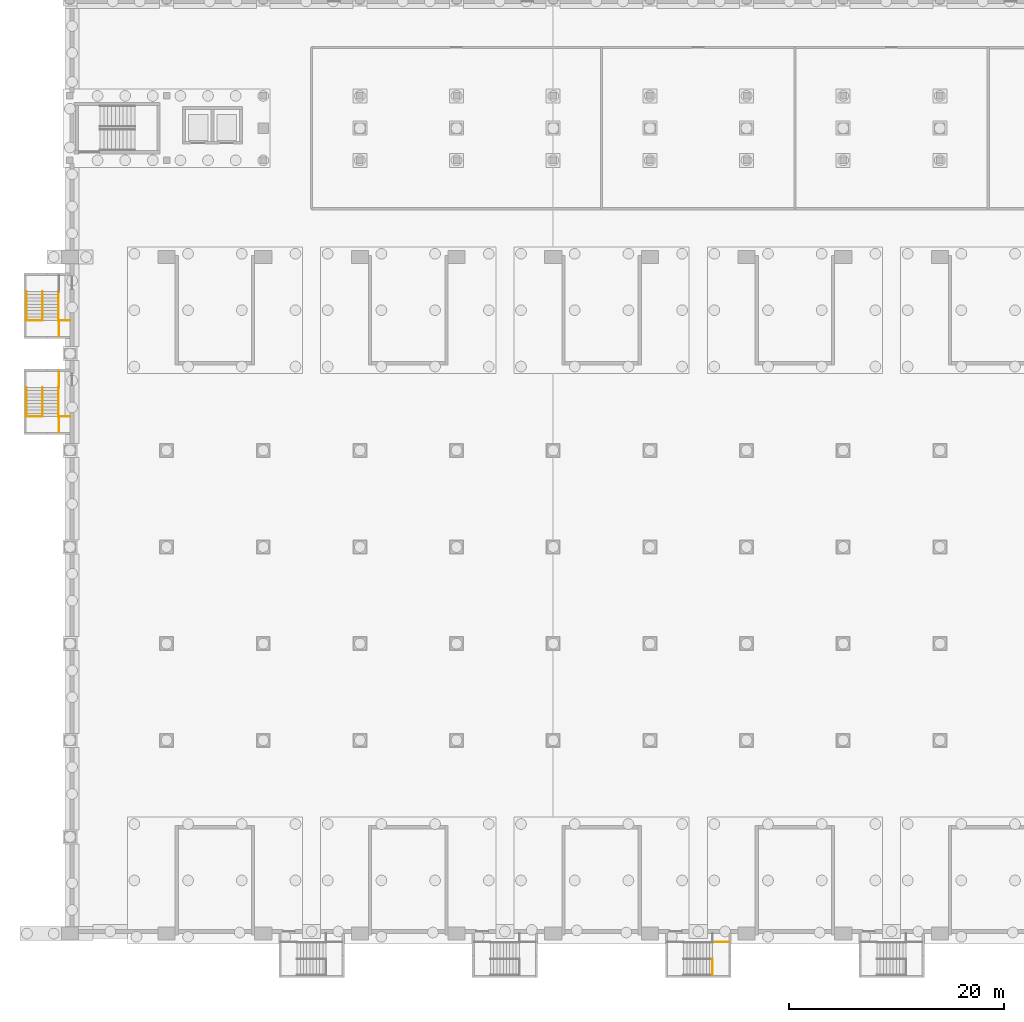
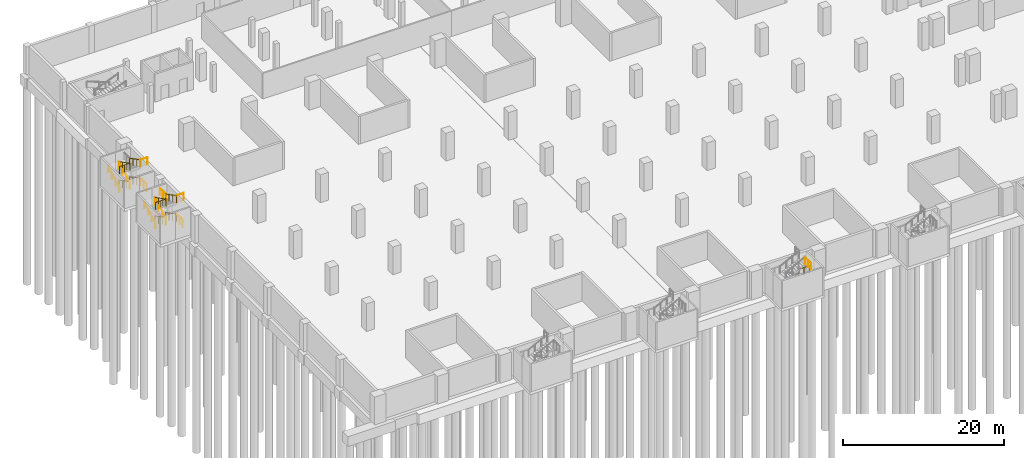
# One storey, part 22 of 29: 21 railings.
"""IFC4 building model written with IfcOpenShell, lengths in metres."""

from ifc_helpers import new_model, si_unit, direction, frame, origin, origin_2d, place, context, subcontext, project, spatial, circle, extrude, material, type_object, element, save


model = new_model("IFC4")

# Units and contexts
model_context = context("Model", 3, precision=1e-05, world=origin(), true_north=direction((0.0, 1.0)))
body_context = subcontext(model_context, "Body", "Model", "MODEL_VIEW")
ifc_project = project(units=[si_unit("LENGTHUNIT", "METRE"), si_unit("AREAUNIT", "SQUARE_METRE"), si_unit("VOLUMEUNIT", "CUBIC_METRE"), si_unit("PLANEANGLEUNIT", "RADIAN"), si_unit("MASSUNIT", "GRAM", prefix="KILO")], contexts=[model_context])

# Site, building, storey
site_placement = place(None, origin())
site = spatial("IfcSite", under=ifc_project, at=site_placement, CompositionType="ELEMENT")
building_placement = place(site_placement, origin())
building = spatial("IfcBuilding", under=site, at=building_placement, Name="Aravalli Gate Trade Fair Centre", CompositionType="ELEMENT")
storey_placement = place(building_placement, frame((0.0, 0.0, -8.39990234375)))
storey = spatial("IfcBuildingStorey", under=building, at=storey_placement, Name="B2", CompositionType="ELEMENT", Elevation=-8.39990234375)

# Railings
ifc_material = material(Name="Steel E350", Category="steel")
railing_type_1 = type_object("IfcRailingType", Name="Basement stair guard 1100", PredefinedType="GUARDRAIL", material=ifc_material)
railing_1_placement = place(storey_placement, frame((3.449951171875, 96.85009765625, 0.0)))
element("IfcRailing", 1, at=railing_1_placement, inside=storey, type_object=railing_type_1, Name="Basement stair W1 guard A B2", PredefinedType="GUARDRAIL", context=body_context, shape_type="SweptSolid", body=[
    extrude(circle(Radius=0.02392578125, at=origin_2d()), frame((0.0, 0.0, 1.076171875), z_axis=(0.0, -0.887781257544, 0.460265617609), x_axis=(1.0, 0.0, 0.0)), (0.0, 0.0, 1.0), 3.04150390625),
    extrude(circle(Radius=0.02099609375, at=origin_2d()), origin(), (0.0, 0.0, 1.0), 1.052001953125),
    extrude(circle(Radius=0.02099609375, at=origin_2d()), frame((0.0, -0.900146484375, 0.466552734375)), (0.0, 0.0, 1.0), 1.052001953125),
    extrude(circle(Radius=0.02099609375, at=origin_2d()), frame((0.0, -1.800048828125, 0.933349609375)), (0.0, 0.0, 1.0), 1.052001953125),
    extrude(circle(Radius=0.02099609375, at=origin_2d()), frame((0.0, -2.7001953125, 1.39990234375)), (0.0, 0.0, 1.0), 1.052001953125),
])
railing_2_placement = place(storey_placement, frame((3.449951171875, 94.14990234375, 1.39990234375)))
element("IfcRailing", 2, at=railing_2_placement, inside=storey, type_object=railing_type_1, Name="Basement stair W1 guard B B2", PredefinedType="GUARDRAIL", context=body_context, shape_type="SweptSolid", body=[
    extrude(circle(Radius=0.02392578125, at=origin_2d()), frame((0.0, 0.0, 1.076171875), z_axis=(0.0, 0.887781257544, 0.460265617609), x_axis=(-1.0, 0.0, 0.0)), (0.0, 0.0, 1.0), 3.04150390625),
    extrude(circle(Radius=0.02099609375, at=origin_2d()), origin(), (0.0, 0.0, 1.0), 1.052001953125),
    extrude(circle(Radius=0.02099609375, at=origin_2d()), frame((0.0, 0.900146484375, 0.466552734375)), (0.0, 0.0, 1.0), 1.052001953125),
    extrude(circle(Radius=0.02099609375, at=origin_2d()), frame((0.0, 1.800048828125, 0.933349609375)), (0.0, 0.0, 1.0), 1.052001953125),
    extrude(circle(Radius=0.02099609375, at=origin_2d()), frame((0.0, 2.7001953125, 1.39990234375)), (0.0, 0.0, 1.0), 1.052001953125),
])
railing_3_placement = place(storey_placement, frame((3.449951171875, 96.85009765625, 2.7998046875)))
element("IfcRailing", 3, at=railing_3_placement, inside=storey, type_object=railing_type_1, Name="Basement stair W1 guard C B2", PredefinedType="GUARDRAIL", context=body_context, shape_type="SweptSolid", body=[
    extrude(circle(Radius=0.02392578125, at=origin_2d()), frame((0.0, 0.0, 1.076171875), z_axis=(0.0, -0.887748457143, 0.460328878998), x_axis=(1.0, 0.0, 0.0)), (0.0, 0.0, 1.0), 3.04150390625),
    extrude(circle(Radius=0.02099609375, at=origin_2d()), origin(), (0.0, 0.0, 1.0), 1.052001953125),
    extrude(circle(Radius=0.02099609375, at=origin_2d()), frame((0.0, -0.900146484375, 0.466796875)), (0.0, 0.0, 1.0), 1.052001953125),
    extrude(circle(Radius=0.02099609375, at=origin_2d()), frame((0.0, -1.800048828125, 0.933349609375)), (0.0, 0.0, 1.0), 1.052001953125),
    extrude(circle(Radius=0.02099609375, at=origin_2d()), frame((0.0, -2.7001953125, 1.400146484375)), (0.0, 0.0, 1.0), 1.052001953125),
])
railing_4_placement = place(storey_placement, frame((4.949951171875, 96.85009765625, 0.0)))
element("IfcRailing", 4, at=railing_4_placement, inside=storey, type_object=railing_type_1, Name="Basement stair W1 guard A B2", PredefinedType="GUARDRAIL", context=body_context, shape_type="SweptSolid", body=[
    extrude(circle(Radius=0.02392578125, at=origin_2d()), frame((0.0, 0.0, 1.076171875), z_axis=(0.0, -0.887781257544, 0.460265617609), x_axis=(1.0, 0.0, 0.0)), (0.0, 0.0, 1.0), 3.04150390625),
    extrude(circle(Radius=0.02099609375, at=origin_2d()), origin(), (0.0, 0.0, 1.0), 1.052001953125),
    extrude(circle(Radius=0.02099609375, at=origin_2d()), frame((0.0, -0.900146484375, 0.466552734375)), (0.0, 0.0, 1.0), 1.052001953125),
    extrude(circle(Radius=0.02099609375, at=origin_2d()), frame((0.0, -1.800048828125, 0.933349609375)), (0.0, 0.0, 1.0), 1.052001953125),
    extrude(circle(Radius=0.02099609375, at=origin_2d()), frame((0.0, -2.7001953125, 1.39990234375)), (0.0, 0.0, 1.0), 1.052001953125),
])
railing_5_placement = place(storey_placement, frame((4.949951171875, 96.85009765625, 2.7998046875)))
element("IfcRailing", 5, at=railing_5_placement, inside=storey, type_object=railing_type_1, Name="Basement stair W1 guard C B2", PredefinedType="GUARDRAIL", context=body_context, shape_type="SweptSolid", body=[
    extrude(circle(Radius=0.02392578125, at=origin_2d()), frame((0.0, 0.0, 1.076171875), z_axis=(0.0, -0.887748457143, 0.460328878998), x_axis=(1.0, 0.0, 0.0)), (0.0, 0.0, 1.0), 3.04150390625),
    extrude(circle(Radius=0.02099609375, at=origin_2d()), origin(), (0.0, 0.0, 1.0), 1.052001953125),
    extrude(circle(Radius=0.02099609375, at=origin_2d()), frame((0.0, -0.900146484375, 0.466796875)), (0.0, 0.0, 1.0), 1.052001953125),
    extrude(circle(Radius=0.02099609375, at=origin_2d()), frame((0.0, -1.800048828125, 0.933349609375)), (0.0, 0.0, 1.0), 1.052001953125),
    extrude(circle(Radius=0.02099609375, at=origin_2d()), frame((0.0, -2.7001953125, 1.400146484375)), (0.0, 0.0, 1.0), 1.052001953125),
])
for number, where, name in (
    (6, (5.0, 94.14990234375, 1.39990234375), "Basement stair W1 landing edge guard 1 B2"),
    (7, (5.0, 98.35009765625, 2.7998046875), "Basement stair W1 landing edge guard 2 B2"),
):
    element("IfcRailing", number, at=place(storey_placement, frame(where)), inside=storey, type_object=railing_type_1, Name=name, PredefinedType="GUARDRAIL", context=body_context, shape_type="SweptSolid", body=[
        extrude(circle(Radius=0.02392578125, at=origin_2d()), frame((0.0, 0.0, 1.076171875), z_axis=(0.0, -1.0, 0.0), x_axis=(1.0, 0.0, 0.0)), (0.0, 0.0, 1.0), 1.5),
        extrude(circle(Radius=0.02099609375, at=origin_2d()), origin(), (0.0, 0.0, 1.0), 1.052001953125),
        extrude(circle(Radius=0.02099609375, at=origin_2d()), frame((0.0, -0.75, 0.0)), (0.0, 0.0, 1.0), 1.052001953125),
        extrude(circle(Radius=0.02099609375, at=origin_2d()), frame((0.0, -1.5, 0.0)), (0.0, 0.0, 1.0), 1.052001953125),
    ])
railing_6_placement = place(storey_placement, frame((6.0, 94.14990234375, 4.199951171875)))
element("IfcRailing", 8, at=railing_6_placement, inside=storey, type_object=railing_type_1, Name="Basement stair W1 strip guard B2", PredefinedType="GUARDRAIL", context=body_context, shape_type="SweptSolid", body=[
    extrude(circle(Radius=0.02392578125, at=origin_2d()), frame((0.0, 0.0, 1.076171875), z_axis=(-1.0, 0.0, 0.0), x_axis=(0.0, -1.0, 0.0)), (0.0, 0.0, 1.0), 1.0),
    extrude(circle(Radius=0.02099609375, at=origin_2d()), origin(), (0.0, 0.0, 1.0), 1.052001953125),
    extrude(circle(Radius=0.02099609375, at=origin_2d()), frame((-1.0, 0.0, 0.0)), (0.0, 0.0, 1.0), 1.052001953125),
])
railing_7_placement = place(storey_placement, frame((3.449951171875, 94.14990234375, 4.199951171875)))
element("IfcRailing", 9, at=railing_7_placement, inside=storey, type_object=railing_type_1, Name="Basement stair W1 well guard B2", PredefinedType="GUARDRAIL", context=body_context, shape_type="SweptSolid", body=[
    extrude(circle(Radius=0.02392578125, at=origin_2d()), frame((0.0, 0.0, 1.076171875), z_axis=(-1.0, 0.0, 0.0), x_axis=(0.0, -1.0, 0.0)), (0.0, 0.0, 1.0), 1.5),
    extrude(circle(Radius=0.02099609375, at=origin_2d()), origin(), (0.0, 0.0, 1.0), 1.052001953125),
    extrude(circle(Radius=0.02099609375, at=origin_2d()), frame((-0.75, 0.0, 0.0)), (0.0, 0.0, 1.0), 1.052001953125),
    extrude(circle(Radius=0.02099609375, at=origin_2d()), frame((-1.5, 0.0, 0.0)), (0.0, 0.0, 1.0), 1.052001953125),
])
railing_8_placement = place(storey_placement, frame((3.449951171875, 105.800048828125, 0.0)))
element("IfcRailing", 10, at=railing_8_placement, inside=storey, type_object=railing_type_1, Name="Basement stair W2 guard A B2", PredefinedType="GUARDRAIL", context=body_context, shape_type="SweptSolid", body=[
    extrude(circle(Radius=0.02392578125, at=origin_2d()), frame((0.0, 0.0, 1.076171875), z_axis=(0.0, -0.887764251068, 0.460298418991), x_axis=(1.0, 0.0, 0.0)), (0.0, 0.0, 1.0), 3.041259765625),
    extrude(circle(Radius=0.02099609375, at=origin_2d()), origin(), (0.0, 0.0, 1.0), 1.052001953125),
    extrude(circle(Radius=0.02099609375, at=origin_2d()), frame((0.0, -0.89990234375, 0.466552734375)), (0.0, 0.0, 1.0), 1.052001953125),
    extrude(circle(Radius=0.02099609375, at=origin_2d()), frame((0.0, -1.800048828125, 0.933349609375)), (0.0, 0.0, 1.0), 1.052001953125),
    extrude(circle(Radius=0.02099609375, at=origin_2d()), frame((0.0, -2.699951171875, 1.39990234375)), (0.0, 0.0, 1.0), 1.052001953125),
])
railing_9_placement = place(storey_placement, frame((3.449951171875, 103.10009765625, 1.39990234375)))
element("IfcRailing", 11, at=railing_9_placement, inside=storey, type_object=railing_type_1, Name="Basement stair W2 guard B B2", PredefinedType="GUARDRAIL", context=body_context, shape_type="SweptSolid", body=[
    extrude(circle(Radius=0.02392578125, at=origin_2d()), frame((0.0, 0.0, 1.076171875), z_axis=(0.0, 0.887764251068, 0.460298418991), x_axis=(-1.0, 0.0, 0.0)), (0.0, 0.0, 1.0), 3.041259765625),
    extrude(circle(Radius=0.02099609375, at=origin_2d()), origin(), (0.0, 0.0, 1.0), 1.052001953125),
    extrude(circle(Radius=0.02099609375, at=origin_2d()), frame((0.0, 0.89990234375, 0.466552734375)), (0.0, 0.0, 1.0), 1.052001953125),
    extrude(circle(Radius=0.02099609375, at=origin_2d()), frame((0.0, 1.800048828125, 0.933349609375)), (0.0, 0.0, 1.0), 1.052001953125),
    extrude(circle(Radius=0.02099609375, at=origin_2d()), frame((0.0, 2.699951171875, 1.39990234375)), (0.0, 0.0, 1.0), 1.052001953125),
])
railing_10_placement = place(storey_placement, frame((3.449951171875, 105.800048828125, 2.7998046875)))
element("IfcRailing", 12, at=railing_10_placement, inside=storey, type_object=railing_type_1, Name="Basement stair W2 guard C B2", PredefinedType="GUARDRAIL", context=body_context, shape_type="SweptSolid", body=[
    extrude(circle(Radius=0.02392578125, at=origin_2d()), frame((0.0, 0.0, 1.076171875), z_axis=(0.0, -0.887731446621, 0.460361682464), x_axis=(1.0, 0.0, 0.0)), (0.0, 0.0, 1.0), 3.04150390625),
    extrude(circle(Radius=0.02099609375, at=origin_2d()), origin(), (0.0, 0.0, 1.0), 1.052001953125),
    extrude(circle(Radius=0.02099609375, at=origin_2d()), frame((0.0, -0.89990234375, 0.466796875)), (0.0, 0.0, 1.0), 1.052001953125),
    extrude(circle(Radius=0.02099609375, at=origin_2d()), frame((0.0, -1.800048828125, 0.933349609375)), (0.0, 0.0, 1.0), 1.052001953125),
    extrude(circle(Radius=0.02099609375, at=origin_2d()), frame((0.0, -2.699951171875, 1.400146484375)), (0.0, 0.0, 1.0), 1.052001953125),
])
railing_11_placement = place(storey_placement, frame((4.949951171875, 105.800048828125, 0.0)))
element("IfcRailing", 13, at=railing_11_placement, inside=storey, type_object=railing_type_1, Name="Basement stair W2 guard A B2", PredefinedType="GUARDRAIL", context=body_context, shape_type="SweptSolid", body=[
    extrude(circle(Radius=0.02392578125, at=origin_2d()), frame((0.0, 0.0, 1.076171875), z_axis=(0.0, -0.887764251068, 0.460298418991), x_axis=(1.0, 0.0, 0.0)), (0.0, 0.0, 1.0), 3.041259765625),
    extrude(circle(Radius=0.02099609375, at=origin_2d()), origin(), (0.0, 0.0, 1.0), 1.052001953125),
    extrude(circle(Radius=0.02099609375, at=origin_2d()), frame((0.0, -0.89990234375, 0.466552734375)), (0.0, 0.0, 1.0), 1.052001953125),
    extrude(circle(Radius=0.02099609375, at=origin_2d()), frame((0.0, -1.800048828125, 0.933349609375)), (0.0, 0.0, 1.0), 1.052001953125),
    extrude(circle(Radius=0.02099609375, at=origin_2d()), frame((0.0, -2.699951171875, 1.39990234375)), (0.0, 0.0, 1.0), 1.052001953125),
])
railing_12_placement = place(storey_placement, frame((4.949951171875, 105.800048828125, 2.7998046875)))
element("IfcRailing", 14, at=railing_12_placement, inside=storey, type_object=railing_type_1, Name="Basement stair W2 guard C B2", PredefinedType="GUARDRAIL", context=body_context, shape_type="SweptSolid", body=[
    extrude(circle(Radius=0.02392578125, at=origin_2d()), frame((0.0, 0.0, 1.076171875), z_axis=(0.0, -0.887731446621, 0.460361682464), x_axis=(1.0, 0.0, 0.0)), (0.0, 0.0, 1.0), 3.04150390625),
    extrude(circle(Radius=0.02099609375, at=origin_2d()), origin(), (0.0, 0.0, 1.0), 1.052001953125),
    extrude(circle(Radius=0.02099609375, at=origin_2d()), frame((0.0, -0.89990234375, 0.466796875)), (0.0, 0.0, 1.0), 1.052001953125),
    extrude(circle(Radius=0.02099609375, at=origin_2d()), frame((0.0, -1.800048828125, 0.933349609375)), (0.0, 0.0, 1.0), 1.052001953125),
    extrude(circle(Radius=0.02099609375, at=origin_2d()), frame((0.0, -2.699951171875, 1.400146484375)), (0.0, 0.0, 1.0), 1.052001953125),
])
railing_13_placement = place(storey_placement, frame((5.0, 103.10009765625, 1.39990234375)))
element("IfcRailing", 15, at=railing_13_placement, inside=storey, type_object=railing_type_1, Name="Basement stair W2 landing edge guard 1 B2", PredefinedType="GUARDRAIL", context=body_context, shape_type="SweptSolid", body=[
    extrude(circle(Radius=0.02392578125, at=origin_2d()), frame((0.0, 0.0, 1.076171875), z_axis=(0.0, -1.0, 0.0), x_axis=(1.0, 0.0, 0.0)), (0.0, 0.0, 1.0), 1.5),
    extrude(circle(Radius=0.02099609375, at=origin_2d()), origin(), (0.0, 0.0, 1.0), 1.052001953125),
    extrude(circle(Radius=0.02099609375, at=origin_2d()), frame((0.0, -0.75, 0.0)), (0.0, 0.0, 1.0), 1.052001953125),
    extrude(circle(Radius=0.02099609375, at=origin_2d()), frame((0.0, -1.5, 0.0)), (0.0, 0.0, 1.0), 1.052001953125),
])
railing_14_placement = place(storey_placement, frame((6.0, 103.10009765625, 4.199951171875)))
element("IfcRailing", 16, at=railing_14_placement, inside=storey, type_object=railing_type_1, Name="Basement stair W2 strip guard B2", PredefinedType="GUARDRAIL", context=body_context, shape_type="SweptSolid", body=[
    extrude(circle(Radius=0.02392578125, at=origin_2d()), frame((0.0, 0.0, 1.076171875), z_axis=(-1.0, 0.0, 0.0), x_axis=(0.0, -1.0, 0.0)), (0.0, 0.0, 1.0), 1.0),
    extrude(circle(Radius=0.02099609375, at=origin_2d()), origin(), (0.0, 0.0, 1.0), 1.052001953125),
    extrude(circle(Radius=0.02099609375, at=origin_2d()), frame((-1.0, 0.0, 0.0)), (0.0, 0.0, 1.0), 1.052001953125),
])
railing_15_placement = place(storey_placement, frame((3.449951171875, 103.10009765625, 4.199951171875)))
element("IfcRailing", 17, at=railing_15_placement, inside=storey, type_object=railing_type_1, Name="Basement stair W2 well guard B2", PredefinedType="GUARDRAIL", context=body_context, shape_type="SweptSolid", body=[
    extrude(circle(Radius=0.02392578125, at=origin_2d()), frame((0.0, 0.0, 1.076171875), z_axis=(-1.0, 0.0, 0.0), x_axis=(0.0, -1.0, 0.0)), (0.0, 0.0, 1.0), 1.5),
    extrude(circle(Radius=0.02099609375, at=origin_2d()), origin(), (0.0, 0.0, 1.0), 1.052001953125),
    extrude(circle(Radius=0.02099609375, at=origin_2d()), frame((-0.75, 0.0, 0.0)), (0.0, 0.0, 1.0), 1.052001953125),
    extrude(circle(Radius=0.02099609375, at=origin_2d()), frame((-1.5, 0.0, 0.0)), (0.0, 0.0, 1.0), 1.052001953125),
])
railing_16_placement = place(storey_placement, frame((65.85009765625, 45.199951171875, 1.39990234375)))
element("IfcRailing", 18, at=railing_16_placement, inside=storey, type_object=railing_type_1, Name="Basement stair S3 landing edge guard 1 B2", PredefinedType="GUARDRAIL", context=body_context, shape_type="SweptSolid", body=[
    extrude(circle(Radius=0.02392578125, at=origin_2d()), frame((0.0, 0.0, 1.076171875), z_axis=(1.0, 0.0, 0.0), x_axis=(0.0, 1.0, 0.0)), (0.0, 0.0, 1.0), 1.5),
    extrude(circle(Radius=0.02099609375, at=origin_2d()), origin(), (0.0, 0.0, 1.0), 1.052001953125),
    extrude(circle(Radius=0.02099609375, at=origin_2d()), frame((0.75, 0.0, 0.0)), (0.0, 0.0, 1.0), 1.052001953125),
    extrude(circle(Radius=0.02099609375, at=origin_2d()), frame((1.5, 0.0, 0.0)), (0.0, 0.0, 1.0), 1.052001953125),
])
railing_17_placement = place(storey_placement, frame((65.85009765625, 43.64990234375, 4.199951171875)))
element("IfcRailing", 19, at=railing_17_placement, inside=storey, type_object=railing_type_1, Name="Basement stair S3 well guard B2", PredefinedType="GUARDRAIL", context=body_context, shape_type="SweptSolid", body=[
    extrude(circle(Radius=0.02392578125, at=origin_2d()), frame((0.0, 0.0, 1.076171875), z_axis=(0.0, -1.0, 0.0), x_axis=(1.0, 0.0, 0.0)), (0.0, 0.0, 1.0), 1.5),
    extrude(circle(Radius=0.02099609375, at=origin_2d()), origin(), (0.0, 0.0, 1.0), 1.052001953125),
    extrude(circle(Radius=0.02099609375, at=origin_2d()), frame((0.0, -0.75, 0.0)), (0.0, 0.0, 1.0), 1.052001953125),
    extrude(circle(Radius=0.02099609375, at=origin_2d()), frame((0.0, -1.5, 0.0)), (0.0, 0.0, 1.0), 1.052001953125),
])
railing_type_2 = type_object("IfcRailingType", Name="Basement stair handrail 900", PredefinedType="HANDRAIL", material=ifc_material)
railing_18_placement = place(storey_placement, frame((1.949951171875, 94.14990234375, 1.39990234375)))
element("IfcRailing", 20, at=railing_18_placement, inside=storey, type_object=railing_type_2, Name="Basement stair W1 handrail B B2", PredefinedType="HANDRAIL", context=body_context, shape_type="SweptSolid", body=[
    extrude(circle(Radius=0.02392578125, at=origin_2d()), frame((0.0, 0.0, 0.8759765625), z_axis=(0.0, 0.887781257544, 0.460265617609), x_axis=(-1.0, 0.0, 0.0)), (0.0, 0.0, 1.0), 3.04150390625),
    extrude(circle(Radius=0.02099609375, at=origin_2d()), origin(), (0.0, 0.0, 1.0), 0.851806640625),
    extrude(circle(Radius=0.02099609375, at=origin_2d()), frame((0.0, 0.900146484375, 0.466552734375)), (0.0, 0.0, 1.0), 0.851806640625),
    extrude(circle(Radius=0.02099609375, at=origin_2d()), frame((0.0, 1.800048828125, 0.933349609375)), (0.0, 0.0, 1.0), 0.851806640625),
    extrude(circle(Radius=0.02099609375, at=origin_2d()), frame((0.0, 2.7001953125, 1.39990234375)), (0.0, 0.0, 1.0), 0.851806640625),
])
railing_19_placement = place(storey_placement, frame((1.949951171875, 103.10009765625, 1.39990234375)))
element("IfcRailing", 21, at=railing_19_placement, inside=storey, type_object=railing_type_2, Name="Basement stair W2 handrail B B2", PredefinedType="HANDRAIL", context=body_context, shape_type="SweptSolid", body=[
    extrude(circle(Radius=0.02392578125, at=origin_2d()), frame((0.0, 0.0, 0.8759765625), z_axis=(0.0, 0.887764251068, 0.460298418991), x_axis=(-1.0, 0.0, 0.0)), (0.0, 0.0, 1.0), 3.041259765625),
    extrude(circle(Radius=0.02099609375, at=origin_2d()), origin(), (0.0, 0.0, 1.0), 0.851806640625),
    extrude(circle(Radius=0.02099609375, at=origin_2d()), frame((0.0, 0.89990234375, 0.466552734375)), (0.0, 0.0, 1.0), 0.851806640625),
    extrude(circle(Radius=0.02099609375, at=origin_2d()), frame((0.0, 1.800048828125, 0.933349609375)), (0.0, 0.0, 1.0), 0.851806640625),
    extrude(circle(Radius=0.02099609375, at=origin_2d()), frame((0.0, 2.699951171875, 1.39990234375)), (0.0, 0.0, 1.0), 0.851806640625),
])

save(model, "model.ifc")
